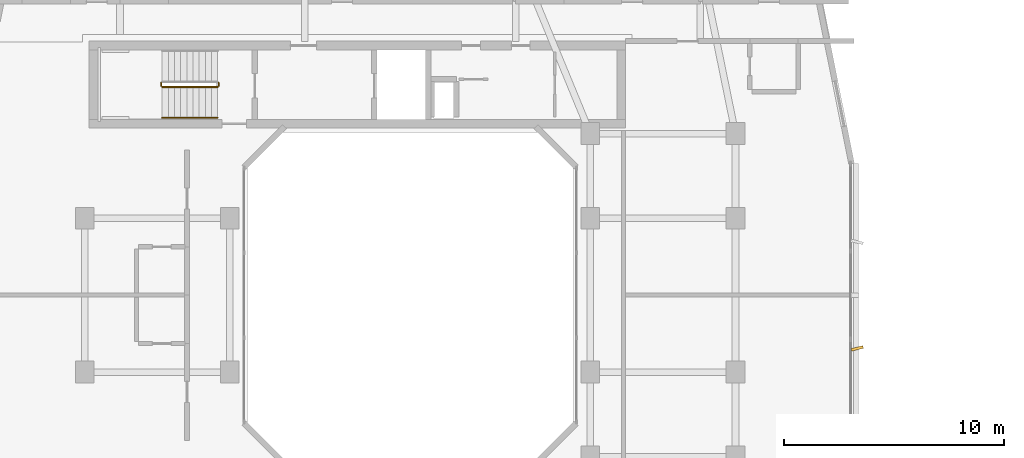
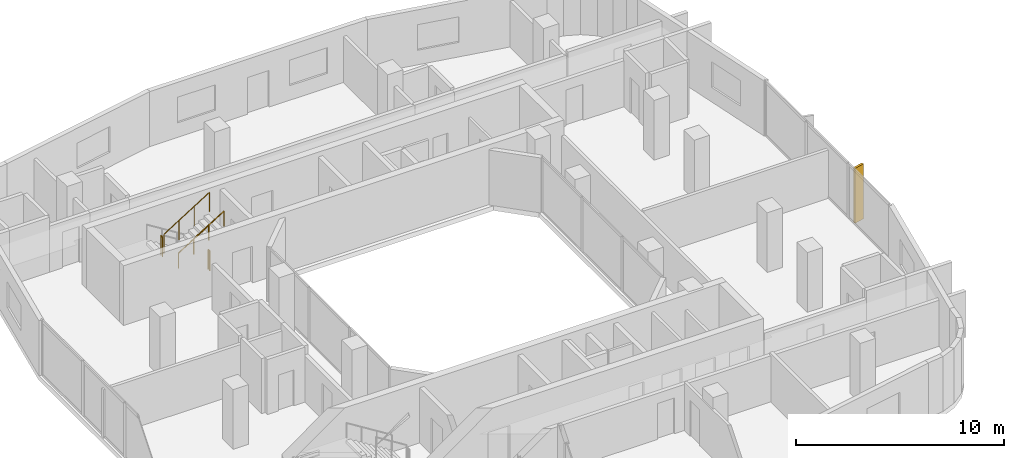
# One storey, part 12 of 13: 4 railings, 1 shading device.
"""IFC4 building model written with IfcOpenShell, lengths in metres."""

from ifc_helpers import new_model, si_unit, derived_unit, direction, frame, origin, origin_2d, place, context, subcontext, project, spatial, rectangle, circle, extrude, material, type_object, element, save


model = new_model("IFC4")

# Units and contexts
model_context = context("Model", 3, precision=1e-05, world=origin(), true_north=direction((0.0, 1.0)))
body_context = subcontext(model_context, "Body", "Model", "MODEL_VIEW")
ifc_project = project(units=[si_unit("LENGTHUNIT", "METRE"), si_unit("AREAUNIT", "SQUARE_METRE"), si_unit("VOLUMEUNIT", "CUBIC_METRE"), si_unit("PLANEANGLEUNIT", "RADIAN"), si_unit("MASSUNIT", "GRAM", prefix="KILO"), derived_unit("THERMALTRANSMITTANCEUNIT", [(si_unit("POWERUNIT", "WATT"), 1), (si_unit("LENGTHUNIT", "METRE"), -2), (si_unit("THERMODYNAMICTEMPERATUREUNIT", "KELVIN"), -1)])], contexts=[model_context])

# Site, building, storey
site_placement = place(None, origin())
site = spatial("IfcSite", under=ifc_project, at=site_placement, CompositionType="ELEMENT")
building_placement = place(site_placement, origin())
building = spatial("IfcBuilding", under=site, at=building_placement, Name="Kivonza Crest Hotel", CompositionType="ELEMENT")
storey_placement = place(building_placement, frame((0.0, 0.0, 134.5)))
storey = spatial("IfcBuildingStorey", under=building, at=storey_placement, Name="L36", CompositionType="ELEMENT", Elevation=134.5)

# Railings
ifc_material_1 = material(Name="Brushed stainless steel handrail", Category="steel")
railing_type_1 = type_object("IfcRailingType", Name="RL-HAND-900", PredefinedType="HANDRAIL", material=ifc_material_1)
railing_1_placement = place(storey_placement, frame((9.719970703125, 33.070068359375, 1.925048828125)))
element("IfcRailing", 1, at=railing_1_placement, inside=storey, type_object=railing_type_1, Name="L36 ST-T1-N stair handrail 2", PredefinedType="HANDRAIL", context=body_context, shape_type="SweptSolid", body=[
    extrude(circle(Radius=0.02392578125, at=origin_2d()), frame((0.0, 0.0, 0.8759765625), z_axis=(0.848007534815, 0.0, 0.529984170421), x_axis=(0.0, 1.0, 0.0)), (0.0, 0.0, 1.0), 2.9716796875),
    extrude(circle(Radius=0.02099609375, at=origin_2d()), origin(), (0.0, 0.0, 1.0), 0.851806640625),
    extrude(circle(Radius=0.02099609375, at=origin_2d()), frame((0.840087890625, 0.0, 0.52490234375)), (0.0, 0.0, 1.0), 0.851806640625),
    extrude(circle(Radius=0.02099609375, at=origin_2d()), frame((1.679931640625, 0.0, 1.050048828125)), (0.0, 0.0, 1.0), 0.851806640625),
    extrude(circle(Radius=0.02099609375, at=origin_2d()), frame((2.52001953125, 0.0, 1.574951171875)), (0.0, 0.0, 1.0), 0.851806640625),
])
ifc_material_2 = material(Name="Painted steel balustrade", Category="steel")
railing_type_2 = type_object("IfcRailingType", Name="RL-STAIR-1150", PredefinedType="BALUSTRADE", material=ifc_material_2)
railing_2_placement = place(storey_placement, frame((9.669921875, 34.659912109375, 1.75)))
element("IfcRailing", 2, at=railing_2_placement, inside=storey, type_object=railing_type_2, Name="L36 ST-T1-N stair guard 2", PredefinedType="BALUSTRADE", context=body_context, shape_type="SweptSolid", body=[
    extrude(circle(Radius=0.02392578125, at=origin_2d()), frame((0.0, 0.0, 1.1259765625), z_axis=(0.0, -1.0, 0.0), x_axis=(1.0, 0.0, 0.0)), (0.0, 0.0, 1.0), 0.139892578125),
    extrude(circle(Radius=0.02099609375, at=origin_2d()), origin(), (0.0, 0.0, 1.0), 1.101806640625),
    extrude(circle(Radius=0.02099609375, at=origin_2d()), frame((0.0, -0.139892578125, 0.0)), (0.0, 0.0, 1.0), 1.101806640625),
])
railing_3_placement = place(storey_placement, frame((9.719970703125, 34.469970703125, 1.925048828125)))
element("IfcRailing", 3, at=railing_3_placement, inside=storey, type_object=railing_type_2, Name="L36 ST-T1-N stair guard 3", PredefinedType="BALUSTRADE", context=body_context, shape_type="SweptSolid", body=[
    extrude(circle(Radius=0.02392578125, at=origin_2d()), frame((0.0, 0.0, 1.1259765625), z_axis=(0.848007534815, 0.0, 0.529984170421), x_axis=(0.0, 1.0, 0.0)), (0.0, 0.0, 1.0), 2.9716796875),
    extrude(circle(Radius=0.02099609375, at=origin_2d()), origin(), (0.0, 0.0, 1.0), 1.101806640625),
    extrude(circle(Radius=0.02099609375, at=origin_2d()), frame((0.840087890625, 0.0, 0.52490234375)), (0.0, 0.0, 1.0), 1.101806640625),
    extrude(circle(Radius=0.02099609375, at=origin_2d()), frame((1.679931640625, 0.0, 1.050048828125)), (0.0, 0.0, 1.0), 1.101806640625),
    extrude(circle(Radius=0.02099609375, at=origin_2d()), frame((2.52001953125, 0.0, 1.574951171875)), (0.0, 0.0, 1.0), 1.101806640625),
])
railing_4_placement = place(storey_placement, frame((12.2900390625, 34.659912109375, 0.0)))
element("IfcRailing", 4, at=railing_4_placement, inside=storey, type_object=railing_type_2, Name="L36 ST-T1-N stair guard 4", PredefinedType="BALUSTRADE", context=body_context, shape_type="SweptSolid", body=[
    extrude(circle(Radius=0.02392578125, at=origin_2d()), frame((0.0, 0.0, 1.1259765625), z_axis=(0.0, -1.0, 0.0), x_axis=(1.0, 0.0, 0.0)), (0.0, 0.0, 1.0), 0.139892578125),
    extrude(circle(Radius=0.02099609375, at=origin_2d()), origin(), (0.0, 0.0, 1.0), 1.101806640625),
    extrude(circle(Radius=0.02099609375, at=origin_2d()), frame((0.0, -0.139892578125, 0.0)), (0.0, 0.0, 1.0), 1.101806640625),
])

# Shading device
ifc_material_3 = material(Name="Kiln-fired terracotta over extruded aluminium spine", Category="masonry")
shading_device_type = type_object("IfcShadingDeviceType", Name="SH-FIN-550", PredefinedType="USERDEFINED", material=ifc_material_3)
shading_device_placement = place(storey_placement, frame((41.340087890625, 22.575927734375, 0.0), z_axis=(0.0, 0.0, 1.0), x_axis=(-0.2419218956, 0.970295726276, 0.0)))
element("IfcShadingDevice", 5, at=shading_device_placement, inside=storey, type_object=shading_device_type, Name="L36 vertical solar shading fin CW-T1-L36-17-1", ObjectType="FIN", PredefinedType="USERDEFINED", context=body_context, shape_type="SweptSolid", body=[
    extrude(rectangle(XDim=0.1201171875, YDim=0.550048828125, at=origin_2d()), origin(), (0.0, 0.0, 1.0), 3.219970703125),
])

save(model, "model.ifc")
